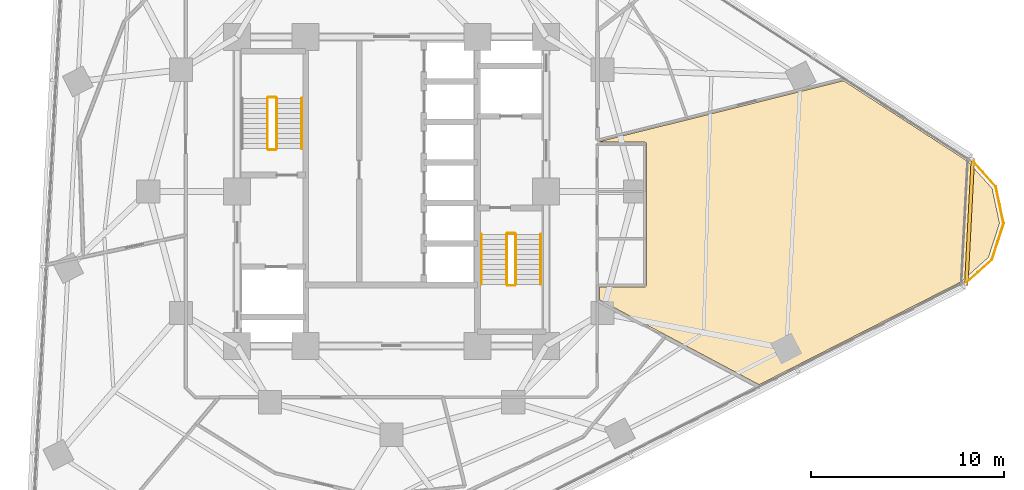
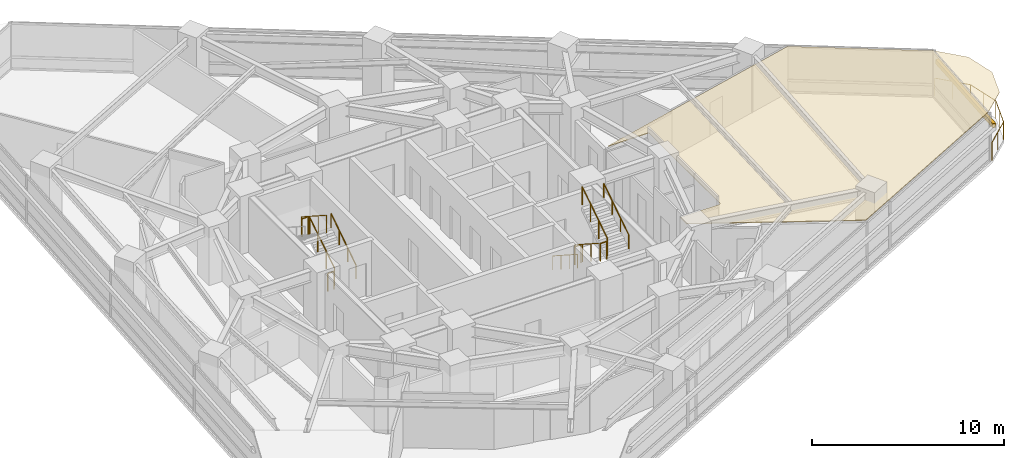
# One storey, part 13 of 14: 12 railings, 1 covering, 1 shading device.
"""IFC4 building model written with IfcOpenShell, lengths in metres."""

from ifc_helpers import new_model, si_unit, direction, frame, origin, origin_2d, place, context, subcontext, project, spatial, polyline, rectangle, circle, outline, extrude, material, layer, layer_set, type_object, element, save


model = new_model("IFC4")

# Units and contexts
model_context = context("Model", 3, precision=1e-05, world=origin(), true_north=direction((0.0, 1.0)))
body_context = subcontext(model_context, "Body", "Model", "MODEL_VIEW")
ifc_project = project(units=[si_unit("LENGTHUNIT", "METRE"), si_unit("AREAUNIT", "SQUARE_METRE"), si_unit("VOLUMEUNIT", "CUBIC_METRE"), si_unit("PLANEANGLEUNIT", "RADIAN"), si_unit("MASSUNIT", "GRAM", prefix="KILO")], contexts=[model_context])

# Site, building, storey
site_placement = place(None, origin())
site = spatial("IfcSite", under=ifc_project, at=site_placement, CompositionType="ELEMENT")
building_placement = place(site_placement, origin())
building = spatial("IfcBuilding", under=site, at=building_placement, Name="Terralouvre Media Tower", CompositionType="ELEMENT")
storey_placement = place(building_placement, frame((0.0, 0.0, 119.89990234375)))
storey = spatial("IfcBuildingStorey", under=building, at=storey_placement, Name="L30", CompositionType="ELEMENT", Elevation=119.89990234375)

# Covering
ifc_material_1 = material(Name="Perforated aluminium acoustic ceiling baffle", Category="aluminium")
ifc_layer_1 = layer(ifc_material_1, 0.0400390625, Name="Perforated Acoustic Metal Tile Ceiling CL-AC1")
ifc_layer_set_1 = layer_set([ifc_layer_1], Name="Perforated aluminium acoustic ceiling baffle")
covering_type = type_object("IfcCoveringType", Name="Perforated Acoustic Metal Tile Ceiling CL-AC1", PredefinedType="CEILING", material=ifc_layer_set_1)
covering_placement = place(storey_placement, frame((0.0, 0.0, 2.97998046875), z_axis=(0.0, 0.0, 1.0), x_axis=(0.891006524188, 0.45399049974, 0.0)))
element("IfcCovering", 1, at=covering_placement, inside=storey, type_object=covering_type, Name="L30 Event Planning Conference Room 6 Acoustic Ceiling", PredefinedType="CEILING", context=body_context, shape_type="SweptSolid", body=[
    extrude(outline(polyline([(10.748291015625, -2.58447265625), (10.736083984375, -2.6083984375), (12.829833984375, -3.67529296875), (12.83837890625, -3.68017578125), (12.846435546875, -3.685791015625), (12.853759765625, -3.692138671875), (12.860595703125, -3.699462890625), (12.866455078125, -3.70703125), (12.871826171875, -3.715576171875), (12.8759765625, -3.72412109375), (12.879638671875, -3.7333984375), (12.882080078125, -3.742919921875), (12.8837890625, -3.75244140625), (12.884521484375, -3.762451171875), (12.88427734375, -3.772216796875), (12.8828125, -3.781982421875), (12.880615234375, -3.79150390625), (12.877685546875, -3.80078125), (12.87353515625, -3.809814453125), (9.559326171875, -10.31396484375), (9.554443359375, -10.322509765625), (9.548828125, -10.33056640625), (9.54248046875, -10.337890625), (9.53515625, -10.3447265625), (9.527587890625, -10.3505859375), (9.51904296875, -10.35595703125), (9.510498046875, -10.3603515625), (9.501220703125, -10.36376953125), (9.49169921875, -10.3662109375), (9.482177734375, -10.367919921875), (9.47216796875, -10.36865234375), (9.46240234375, -10.368408203125), (9.45263671875, -10.3671875), (9.443115234375, -10.364990234375), (9.433837890625, -10.36181640625), (9.425048828125, -10.357666015625), (7.3310546875, -9.290771484375), (7.03466796875, -9.87255859375), (9.265380859375, -13.058349609375), (12.412109375, -17.552490234375), (24.1708984375, -17.55224609375), (25.986083984375, -17.06494140625), (27.29345703125, -15.758056640625), (27.7724609375, -13.972412109375), (27.28515625, -12.156982421875), (23.452392578125, -5.51708984375), (15.330810546875, -3.641845703125), (10.748291015625, -2.58447265625)])), origin(), (0.0, 0.0, 1.0), 0.0400390625),
])

# Railings
ifc_material_2 = material(Name="Stainless steel 316 handrail and balustrade", Category="steel")
ifc_layer_2 = layer(ifc_material_2, 0.06005859375, Name="Roof Edge Safety Guardrail GR-ROOF1")
ifc_layer_set_2 = layer_set([ifc_layer_2], Name="Stainless steel 316 handrail and balustrade")
railing_type_1 = type_object("IfcRailingType", Name="Roof Edge Safety Guardrail GR-ROOF1", PredefinedType="GUARDRAIL", material=ifc_layer_set_2)
railing_1_placement = place(storey_placement, frame((29.61572265625, -4.845947265625, 0.0)))
element("IfcRailing", 2, at=railing_1_placement, inside=storey, type_object=railing_type_1, Name="L30 Wind-Corner Perimeter Safety Guardrail C1", PredefinedType="GUARDRAIL", context=body_context, shape_type="SweptSolid", body=[
    extrude(circle(Radius=0.02099609375, at=origin_2d()), frame((0.0, 0.0, 1.12890625), z_axis=(0.743312666239, 0.668944153281, 0.0), x_axis=(-0.668944153281, 0.743312666239, 0.0)), (0.0, 0.0, 1.0), 1.96630859375),
    extrude(circle(Radius=0.02099609375, at=origin_2d()), frame((1.461669921875, 1.3154296875, 1.12890625), z_axis=(0.309178723202, 0.95100395221, 0.0), x_axis=(-0.95100395221, 0.309178723202, 0.0)), (0.0, 0.0, 1.0), 1.96630859375),
    extrude(circle(Radius=0.02099609375, at=origin_2d()), frame((2.069580078125, 3.185302734375, 1.12890625), z_axis=(-0.207968640809, 0.978135493907, 0.0), x_axis=(-0.978135493907, -0.207968640809, 0.0)), (0.0, 0.0, 1.0), 1.96630859375),
    extrude(circle(Radius=0.02099609375, at=origin_2d()), frame((1.66064453125, 5.108642578125, 1.12890625), z_axis=(-0.669335064293, 0.742960679786, 0.0), x_axis=(-0.742960679786, -0.669335064293, 0.0)), (0.0, 0.0, 1.0), 1.96630859375),
    extrude(circle(Radius=0.01904296875, at=origin_2d()), origin(), (0.0, 0.0, 1.0), 1.10791015625),
    extrude(circle(Radius=0.01904296875, at=origin_2d()), frame((0.73095703125, 0.65771484375, 0.0)), (0.0, 0.0, 1.0), 1.10791015625),
    extrude(circle(Radius=0.01904296875, at=origin_2d()), frame((1.461669921875, 1.3154296875, 0.0)), (0.0, 0.0, 1.0), 1.10791015625),
    extrude(circle(Radius=0.01904296875, at=origin_2d()), frame((1.765625, 2.25048828125, 0.0)), (0.0, 0.0, 1.0), 1.10791015625),
    extrude(circle(Radius=0.01904296875, at=origin_2d()), frame((2.069580078125, 3.185302734375, 0.0)), (0.0, 0.0, 1.0), 1.10791015625),
    extrude(circle(Radius=0.01904296875, at=origin_2d()), frame((1.865234375, 4.14697265625, 0.0)), (0.0, 0.0, 1.0), 1.10791015625),
    extrude(circle(Radius=0.01904296875, at=origin_2d()), frame((1.66064453125, 5.108642578125, 0.0)), (0.0, 0.0, 1.0), 1.10791015625),
    extrude(circle(Radius=0.01904296875, at=origin_2d()), frame((1.00244140625, 5.839111328125, 0.0)), (0.0, 0.0, 1.0), 1.10791015625),
    extrude(circle(Radius=0.01904296875, at=origin_2d()), frame((0.344482421875, 6.569580078125, 0.0)), (0.0, 0.0, 1.0), 1.10791015625),
])
ifc_material_3 = material(Name="Stainless steel 316 handrail and balustrade", Category="steel")
ifc_layer_3 = layer(ifc_material_3, 0.050048828125, Name="Stair Flight Wall Handrail HR-INT1")
ifc_layer_set_3 = layer_set([ifc_layer_3], Name="Stainless steel 316 handrail and balustrade")
railing_type_2 = type_object("IfcRailingType", Name="Stair Flight Wall Handrail HR-INT1", PredefinedType="HANDRAIL", material=ifc_layer_set_3)
railing_2_placement = place(storey_placement, frame((-4.64990234375, 2.219970703125, 0.168212890625)))
element("IfcRailing", 3, at=railing_2_placement, inside=storey, type_object=railing_type_2, Name="L30 ST-01 stair handrail 1", PredefinedType="HANDRAIL", context=body_context, shape_type="SweptSolid", body=[
    extrude(circle(Radius=0.02392578125, at=origin_2d()), frame((0.0, 0.0, 0.8759765625), z_axis=(0.0, 0.839648411786, 0.543130320075), x_axis=(-1.0, 0.0, 0.0)), (0.0, 0.0, 1.0), 3.0966796875),
    extrude(circle(Radius=0.02099609375, at=origin_2d()), origin(), (0.0, 0.0, 1.0), 0.851806640625),
    extrude(circle(Radius=0.02099609375, at=origin_2d()), frame((0.0, 0.86669921875, 0.560546875)), (0.0, 0.0, 1.0), 0.851806640625),
    extrude(circle(Radius=0.02099609375, at=origin_2d()), frame((0.0, 1.7333984375, 1.121337890625)), (0.0, 0.0, 1.0), 0.851806640625),
    extrude(circle(Radius=0.02099609375, at=origin_2d()), frame((0.0, 2.60009765625, 1.681884765625)), (0.0, 0.0, 1.0), 0.851806640625),
])
railing_3_placement = place(storey_placement, frame((4.64990234375, -2.219970703125, 0.168212890625)))
element("IfcRailing", 4, at=railing_3_placement, inside=storey, type_object=railing_type_2, Name="L30 ST-02 stair handrail 1", PredefinedType="HANDRAIL", context=body_context, shape_type="SweptSolid", body=[
    extrude(circle(Radius=0.02392578125, at=origin_2d()), frame((0.0, 0.0, 0.8759765625), z_axis=(0.0, -0.839648411786, 0.543130320075), x_axis=(1.0, 0.0, 0.0)), (0.0, 0.0, 1.0), 3.0966796875),
    extrude(circle(Radius=0.02099609375, at=origin_2d()), origin(), (0.0, 0.0, 1.0), 0.851806640625),
    extrude(circle(Radius=0.02099609375, at=origin_2d()), frame((0.0, -0.86669921875, 0.560546875)), (0.0, 0.0, 1.0), 0.851806640625),
    extrude(circle(Radius=0.02099609375, at=origin_2d()), frame((0.0, -1.7333984375, 1.121337890625)), (0.0, 0.0, 1.0), 0.851806640625),
    extrude(circle(Radius=0.02099609375, at=origin_2d()), frame((0.0, -2.60009765625, 1.681884765625)), (0.0, 0.0, 1.0), 0.851806640625),
])
railing_4_placement = place(storey_placement, frame((7.72998046875, -4.820068359375, 2.018310546875)))
element("IfcRailing", 5, at=railing_4_placement, inside=storey, type_object=railing_type_2, Name="L30 ST-02 stair handrail 2", PredefinedType="HANDRAIL", context=body_context, shape_type="SweptSolid", body=[
    extrude(circle(Radius=0.02392578125, at=origin_2d()), frame((0.0, 0.0, 0.8759765625), z_axis=(0.0, 0.839648411786, 0.543130320075), x_axis=(-1.0, 0.0, 0.0)), (0.0, 0.0, 1.0), 3.0966796875),
    extrude(circle(Radius=0.02099609375, at=origin_2d()), origin(), (0.0, 0.0, 1.0), 0.851806640625),
    extrude(circle(Radius=0.02099609375, at=origin_2d()), frame((0.0, 0.86669921875, 0.560546875)), (0.0, 0.0, 1.0), 0.851806640625),
    extrude(circle(Radius=0.02099609375, at=origin_2d()), frame((0.0, 1.7333984375, 1.121337890625)), (0.0, 0.0, 1.0), 0.851806640625),
    extrude(circle(Radius=0.02099609375, at=origin_2d()), frame((0.0, 2.60009765625, 1.681884765625)), (0.0, 0.0, 1.0), 0.851806640625),
])
ifc_material_4 = material(Name="Stainless steel 316 handrail and balustrade", Category="steel")
ifc_layer_4 = layer(ifc_material_4, 0.050048828125, Name="Stairwell Safety Guardrail GR-INT1")
ifc_layer_set_4 = layer_set([ifc_layer_4], Name="Stainless steel 316 handrail and balustrade")
railing_type_3 = type_object("IfcRailingType", Name="Stairwell Safety Guardrail GR-INT1", PredefinedType="GUARDRAIL", material=ifc_layer_set_4)
railing_5_placement = place(storey_placement, frame((-5.949951171875, 2.219970703125, 0.168212890625)))
element("IfcRailing", 6, at=railing_5_placement, inside=storey, type_object=railing_type_3, Name="L30 ST-01 stair guard 1", PredefinedType="GUARDRAIL", context=body_context, shape_type="SweptSolid", body=[
    extrude(circle(Radius=0.02392578125, at=origin_2d()), frame((0.0, 0.0, 1.1259765625), z_axis=(0.0, 0.839648411786, 0.543130320075), x_axis=(-1.0, 0.0, 0.0)), (0.0, 0.0, 1.0), 3.0966796875),
    extrude(circle(Radius=0.02099609375, at=origin_2d()), origin(), (0.0, 0.0, 1.0), 1.101806640625),
    extrude(circle(Radius=0.02099609375, at=origin_2d()), frame((0.0, 0.86669921875, 0.560546875)), (0.0, 0.0, 1.0), 1.101806640625),
    extrude(circle(Radius=0.02099609375, at=origin_2d()), frame((0.0, 1.7333984375, 1.121337890625)), (0.0, 0.0, 1.0), 1.101806640625),
    extrude(circle(Radius=0.02099609375, at=origin_2d()), frame((0.0, 2.60009765625, 1.681884765625)), (0.0, 0.0, 1.0), 1.101806640625),
])
railing_6_placement = place(storey_placement, frame((-6.0, 4.8701171875, 1.85009765625)))
element("IfcRailing", 7, at=railing_6_placement, inside=storey, type_object=railing_type_3, Name="L30 ST-01 stair guard 2", PredefinedType="GUARDRAIL", context=body_context, shape_type="SweptSolid", body=[
    extrude(circle(Radius=0.02392578125, at=origin_2d()), frame((0.0, 0.0, 1.1259765625), z_axis=(-1.0, 0.0, 0.0), x_axis=(0.0, -1.0, 0.0)), (0.0, 0.0, 1.0), 0.3798828125),
    extrude(circle(Radius=0.02099609375, at=origin_2d()), origin(), (0.0, 0.0, 1.0), 1.101806640625),
    extrude(circle(Radius=0.02099609375, at=origin_2d()), frame((-0.3798828125, 0.0, 0.0)), (0.0, 0.0, 1.0), 1.101806640625),
])
railing_7_placement = place(storey_placement, frame((-6.429931640625, 4.820068359375, 2.018310546875)))
element("IfcRailing", 8, at=railing_7_placement, inside=storey, type_object=railing_type_3, Name="L30 ST-01 stair guard 3", PredefinedType="GUARDRAIL", context=body_context, shape_type="SweptSolid", body=[
    extrude(circle(Radius=0.02392578125, at=origin_2d()), frame((0.0, 0.0, 1.1259765625), z_axis=(0.0, -0.839648411786, 0.543130320075), x_axis=(1.0, 0.0, 0.0)), (0.0, 0.0, 1.0), 3.0966796875),
    extrude(circle(Radius=0.02099609375, at=origin_2d()), origin(), (0.0, 0.0, 1.0), 1.101806640625),
    extrude(circle(Radius=0.02099609375, at=origin_2d()), frame((0.0, -0.86669921875, 0.560546875)), (0.0, 0.0, 1.0), 1.101806640625),
    extrude(circle(Radius=0.02099609375, at=origin_2d()), frame((0.0, -1.7333984375, 1.121337890625)), (0.0, 0.0, 1.0), 1.101806640625),
    extrude(circle(Radius=0.02099609375, at=origin_2d()), frame((0.0, -2.60009765625, 1.681884765625)), (0.0, 0.0, 1.0), 1.101806640625),
])
railing_8_placement = place(storey_placement, frame((-6.0, 2.169921875, 0.0)))
element("IfcRailing", 9, at=railing_8_placement, inside=storey, type_object=railing_type_3, Name="L30 ST-01 stair guard 4", PredefinedType="GUARDRAIL", context=body_context, shape_type="SweptSolid", body=[
    extrude(circle(Radius=0.02392578125, at=origin_2d()), frame((0.0, 0.0, 1.1259765625), z_axis=(-1.0, 0.0, 0.0), x_axis=(0.0, -1.0, 0.0)), (0.0, 0.0, 1.0), 0.3798828125),
    extrude(circle(Radius=0.02099609375, at=origin_2d()), origin(), (0.0, 0.0, 1.0), 1.101806640625),
    extrude(circle(Radius=0.02099609375, at=origin_2d()), frame((-0.3798828125, 0.0, 0.0)), (0.0, 0.0, 1.0), 1.101806640625),
])
railing_9_placement = place(storey_placement, frame((5.949951171875, -2.219970703125, 0.168212890625)))
element("IfcRailing", 10, at=railing_9_placement, inside=storey, type_object=railing_type_3, Name="L30 ST-02 stair guard 1", PredefinedType="GUARDRAIL", context=body_context, shape_type="SweptSolid", body=[
    extrude(circle(Radius=0.02392578125, at=origin_2d()), frame((0.0, 0.0, 1.1259765625), z_axis=(0.0, -0.839648411786, 0.543130320075), x_axis=(1.0, 0.0, 0.0)), (0.0, 0.0, 1.0), 3.0966796875),
    extrude(circle(Radius=0.02099609375, at=origin_2d()), origin(), (0.0, 0.0, 1.0), 1.101806640625),
    extrude(circle(Radius=0.02099609375, at=origin_2d()), frame((0.0, -0.86669921875, 0.560546875)), (0.0, 0.0, 1.0), 1.101806640625),
    extrude(circle(Radius=0.02099609375, at=origin_2d()), frame((0.0, -1.7333984375, 1.121337890625)), (0.0, 0.0, 1.0), 1.101806640625),
    extrude(circle(Radius=0.02099609375, at=origin_2d()), frame((0.0, -2.60009765625, 1.681884765625)), (0.0, 0.0, 1.0), 1.101806640625),
])
railing_10_placement = place(storey_placement, frame((6.0, -4.8701171875, 1.85009765625)))
element("IfcRailing", 11, at=railing_10_placement, inside=storey, type_object=railing_type_3, Name="L30 ST-02 stair guard 2", PredefinedType="GUARDRAIL", context=body_context, shape_type="SweptSolid", body=[
    extrude(circle(Radius=0.02392578125, at=origin_2d()), frame((0.0, 0.0, 1.1259765625), z_axis=(1.0, 0.0, 0.0), x_axis=(0.0, 1.0, 0.0)), (0.0, 0.0, 1.0), 0.3798828125),
    extrude(circle(Radius=0.02099609375, at=origin_2d()), origin(), (0.0, 0.0, 1.0), 1.101806640625),
    extrude(circle(Radius=0.02099609375, at=origin_2d()), frame((0.3798828125, 0.0, 0.0)), (0.0, 0.0, 1.0), 1.101806640625),
])
railing_11_placement = place(storey_placement, frame((6.429931640625, -4.820068359375, 2.018310546875)))
element("IfcRailing", 12, at=railing_11_placement, inside=storey, type_object=railing_type_3, Name="L30 ST-02 stair guard 3", PredefinedType="GUARDRAIL", context=body_context, shape_type="SweptSolid", body=[
    extrude(circle(Radius=0.02392578125, at=origin_2d()), frame((0.0, 0.0, 1.1259765625), z_axis=(0.0, 0.839648411786, 0.543130320075), x_axis=(-1.0, 0.0, 0.0)), (0.0, 0.0, 1.0), 3.0966796875),
    extrude(circle(Radius=0.02099609375, at=origin_2d()), origin(), (0.0, 0.0, 1.0), 1.101806640625),
    extrude(circle(Radius=0.02099609375, at=origin_2d()), frame((0.0, 0.86669921875, 0.560546875)), (0.0, 0.0, 1.0), 1.101806640625),
    extrude(circle(Radius=0.02099609375, at=origin_2d()), frame((0.0, 1.7333984375, 1.121337890625)), (0.0, 0.0, 1.0), 1.101806640625),
    extrude(circle(Radius=0.02099609375, at=origin_2d()), frame((0.0, 2.60009765625, 1.681884765625)), (0.0, 0.0, 1.0), 1.101806640625),
])
railing_12_placement = place(storey_placement, frame((6.0, -2.169921875, 0.0)))
element("IfcRailing", 13, at=railing_12_placement, inside=storey, type_object=railing_type_3, Name="L30 ST-02 stair guard 4", PredefinedType="GUARDRAIL", context=body_context, shape_type="SweptSolid", body=[
    extrude(circle(Radius=0.02392578125, at=origin_2d()), frame((0.0, 0.0, 1.1259765625), z_axis=(1.0, 0.0, 0.0), x_axis=(0.0, 1.0, 0.0)), (0.0, 0.0, 1.0), 0.3798828125),
    extrude(circle(Radius=0.02099609375, at=origin_2d()), origin(), (0.0, 0.0, 1.0), 1.101806640625),
    extrude(circle(Radius=0.02099609375, at=origin_2d()), frame((0.3798828125, 0.0, 0.0)), (0.0, 0.0, 1.0), 1.101806640625),
])

# Shading device
ifc_material_5 = material(Name="Extruded terracotta baguette sunshade louvres", Category="masonry")
shading_device_type = type_object("IfcShadingDeviceType", Name="Terracotta Baguette Sunshade Louvre Screen TB-LV1", PredefinedType="USERDEFINED", material=ifc_material_5)
shading_device_placement = place(storey_placement, frame((29.922607421875, -1.568115234375, 2.02392578125), z_axis=(0.0, 0.0, 1.0), x_axis=(0.052336823006, 0.998629489329, 0.0)))
element("IfcShadingDevice", 14, at=shading_device_placement, inside=storey, type_object=shading_device_type, Name="CW-L30-C1 Terracotta Baguette Sunshade Louvre", ObjectType="BAGUETTE", PredefinedType="USERDEFINED", context=body_context, shape_type="SweptSolid", body=[
    extrude(rectangle(XDim=6.581787109375, YDim=0.179931640625, at=origin_2d()), origin(), (0.0, 0.0, 1.0), 0.280029296875),
])

save(model, "model.ifc")
